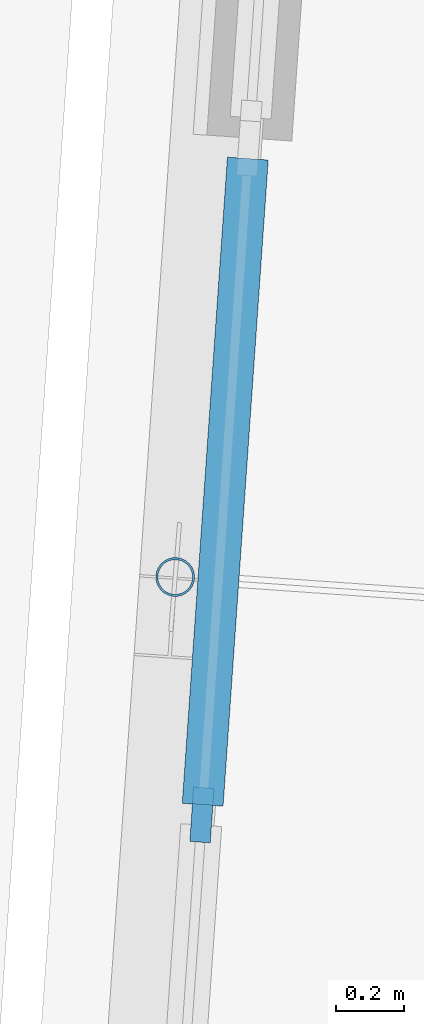
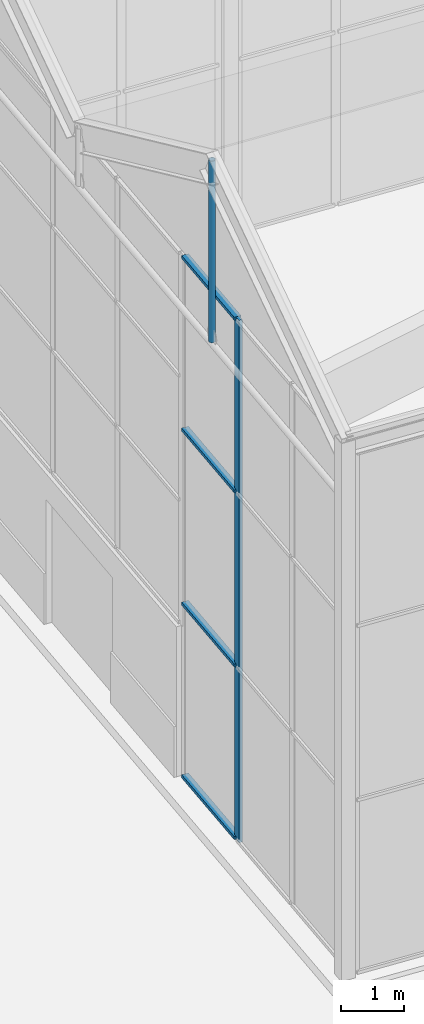
# One storey, part 36 of 157: 6 members, 1 element without a shape of its own.
"""IFC4 building model written with IfcOpenShell, lengths in metres."""

from ifc_helpers import new_model, si_unit, direction, frame, origin, origin_2d, place, context, subcontext, project, spatial, rectangle, hollow_circle, extrude, material, material_profile, profile_set, type_object, element, aggregate, save


model = new_model("IFC4")

# Units and contexts
model_context = context("Model", 3, precision=1e-05, world=origin(), true_north=direction((0.0, 1.0)))
body_context = subcontext(model_context, "Body", "Model", "MODEL_VIEW")
ifc_project = project(units=[si_unit("LENGTHUNIT", "METRE"), si_unit("AREAUNIT", "SQUARE_METRE"), si_unit("VOLUMEUNIT", "CUBIC_METRE"), si_unit("PLANEANGLEUNIT", "RADIAN"), si_unit("MASSUNIT", "GRAM", prefix="KILO")], contexts=[model_context])

# Site, building, storey
site_placement = place(None, origin())
site = spatial("IfcSite", under=ifc_project, at=site_placement, CompositionType="ELEMENT")
building_placement = place(site_placement, origin())
building = spatial("IfcBuilding", under=site, at=building_placement, Name="Windward Yard Aquatics Centre", CompositionType="ELEMENT")
storey_placement = place(building_placement, origin())
storey = spatial("IfcBuildingStorey", under=building, at=storey_placement, Name="L00", CompositionType="ELEMENT", Elevation=0.0)

# Member
ifc_material_1 = material(Name="Steel S355", Category="steel")
ifc_material_profile_1 = material_profile(ifc_material_1, hollow_circle(Radius=0.05712890625, WallThickness=0.006103515625, at=origin_2d()), Name="CHS114x6")
ifc_profile_set_1 = profile_set([ifc_material_profile_1], Name="Steel S355")
member_type_1 = type_object("IfcMemberType", Name="W CHS114x6 post", PredefinedType="POST", material=ifc_profile_set_1)
member_1_placement = place(storey_placement, frame((72.18603515625, 124.171630859375, 9.25), z_axis=(0.0, 0.0, 1.0), x_axis=(1.0, 0.0, 0.0)))
element("IfcMember", 1, at=member_1_placement, inside=storey, type_object=member_type_1, Name="W.STRUT.1.1", PredefinedType="POST", context=body_context, shape_type="SweptSolid", body=[
    extrude(hollow_circle(Radius=0.05712890625, WallThickness=0.006103515625, at=origin_2d()), origin(), (0.0, 0.0, 1.0), 3.510009765625),
])

# Curtain wall, members
ifc_material_2 = material(Name="Aluminium curtain wall system", Category="aluminium")
curtain_wall_type = type_object("IfcCurtainWallType", Name="W curtain wall 1900", PredefinedType="NOTDEFINED", material=ifc_material_2)
curtain_wall_placement = place(storey_placement, origin())
curtain_wall = element("IfcCurtainWall", 2, at=curtain_wall_placement, inside=storey, type_object=curtain_wall_type, Name="Wing west glazing L00 1", PredefinedType="NOTDEFINED")
ifc_material_3 = material(Name="Aluminium mullion", Category="aluminium")
ifc_material_profile_2 = material_profile(ifc_material_3, rectangle(XDim=0.06005859375, YDim=0.159912109375, at=origin_2d()), Name="AL 60x160")
ifc_profile_set_2 = profile_set([ifc_material_profile_2], Name="Aluminium mullion")
member_type_2 = type_object("IfcMemberType", Name="W CW mullion 60x160", PredefinedType="MULLION", material=ifc_profile_set_2)
member_2_placement = place(storey_placement, frame((72.264404296875, 123.473388671875, 0.0), z_axis=(0.0, 0.0, 1.0), x_axis=(-0.997563571522, 0.069763319677, 0.0)))
member_2 = element("IfcMember", 3, at=member_2_placement, type_object=member_type_2, Name="WCW1 mullion 3", PredefinedType="MULLION", context=body_context, shape_type="SweptSolid", body=[
    extrude(rectangle(XDim=0.06005859375, YDim=0.159912109375, at=origin_2d()), origin(), (0.0, 0.0, 1.0), 10.097900390625),
])
ifc_material_4 = material(Name="Aluminium transom", Category="aluminium")
ifc_material_profile_3 = material_profile(ifc_material_4, rectangle(XDim=0.1201171875, YDim=0.06005859375, at=origin_2d()), Name="AL 120x60")
ifc_profile_set_3 = profile_set([ifc_material_profile_3], Name="Aluminium transom")
member_type_3 = type_object("IfcMemberType", Name="W CW transom 120x60", PredefinedType="USERDEFINED", material=ifc_profile_set_3)
member_3_placement = place(storey_placement, frame((72.2666015625, 123.50341796875, 0.030029296875), z_axis=(0.069740938471, 0.99756513647, 0.0), x_axis=(-0.99756513647, 0.069740938471, 0.0)))
member_3 = element("IfcMember", 4, at=member_3_placement, type_object=member_type_3, Name="WCW1 transom 3.1", ObjectType="TRANSOM", PredefinedType="USERDEFINED", context=body_context, shape_type="SweptSolid", body=[
    extrude(rectangle(XDim=0.1201171875, YDim=0.06005859375, at=origin_2d()), origin(), (0.0, 0.0, 1.0), 1.90087890625),
])
member_4_placement = place(storey_placement, frame((72.2666015625, 123.50341796875, 3.365966796875), z_axis=(0.069740938471, 0.99756513647, 0.0), x_axis=(-0.99756513647, 0.069740938471, 0.0)))
member_4 = element("IfcMember", 5, at=member_4_placement, type_object=member_type_3, Name="WCW1 transom 3.2", ObjectType="TRANSOM", PredefinedType="USERDEFINED", context=body_context, shape_type="SweptSolid", body=[
    extrude(rectangle(XDim=0.1201171875, YDim=0.06005859375, at=origin_2d()), origin(), (0.0, 0.0, 1.0), 1.90087890625),
])
member_5_placement = place(storey_placement, frame((72.2666015625, 123.50341796875, 6.73193359375), z_axis=(0.069740938471, 0.99756513647, 0.0), x_axis=(-0.99756513647, 0.069740938471, 0.0)))
member_5 = element("IfcMember", 6, at=member_5_placement, type_object=member_type_3, Name="WCW1 transom 3.3", ObjectType="TRANSOM", PredefinedType="USERDEFINED", context=body_context, shape_type="SweptSolid", body=[
    extrude(rectangle(XDim=0.1201171875, YDim=0.06005859375, at=origin_2d()), origin(), (0.0, 0.0, 1.0), 1.90087890625),
])
member_6_placement = place(storey_placement, frame((72.2666015625, 123.50341796875, 10.068115234375), z_axis=(0.069740938471, 0.99756513647, 0.0), x_axis=(-0.99756513647, 0.069740938471, 0.0)))
member_6 = element("IfcMember", 7, at=member_6_placement, type_object=member_type_3, Name="WCW1 transom 3.4", ObjectType="TRANSOM", PredefinedType="USERDEFINED", context=body_context, shape_type="SweptSolid", body=[
    extrude(rectangle(XDim=0.1201171875, YDim=0.06005859375, at=origin_2d()), origin(), (0.0, 0.0, 1.0), 1.90087890625),
])
aggregate(curtain_wall, [member_2, member_3, member_4, member_5, member_6])

save(model, "model.ifc")
